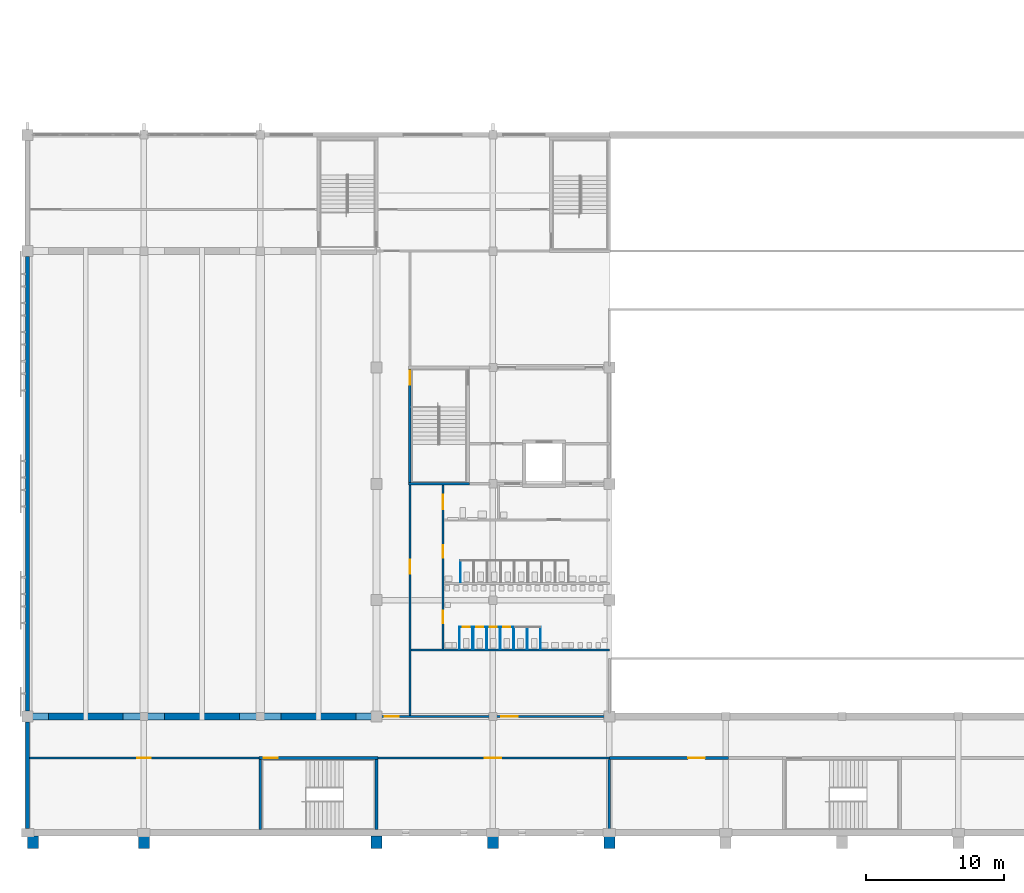
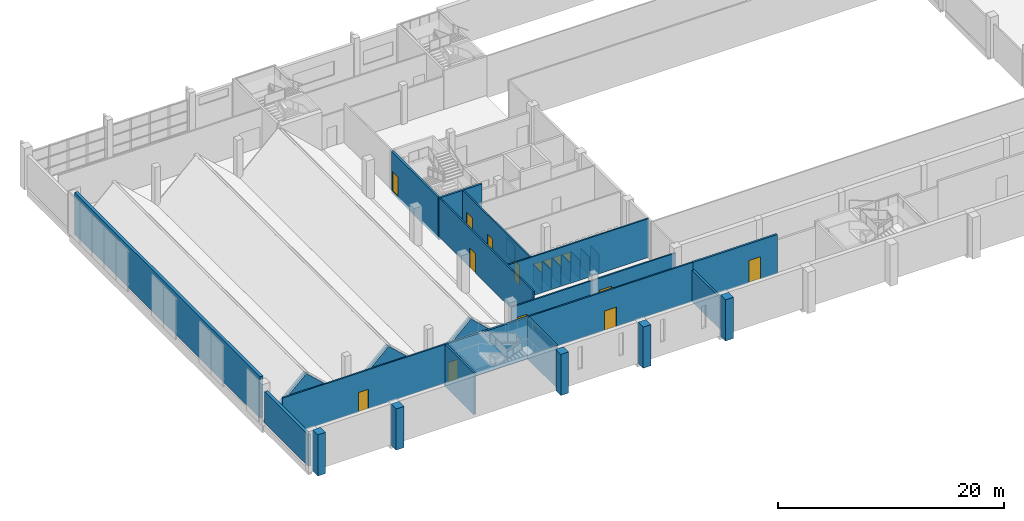
# One storey, part 17 of 56: 38 walls, 15 doors, 15 openings.
"""IFC4 building model written with IfcOpenShell, lengths in metres."""

from ifc_helpers import new_model, si_unit, direction, frame, frame_2d, origin, place, context, subcontext, project, spatial, polyline, rectangle, outline, extrude, material, layer, layer_set, type_object, element, fill, save


model = new_model("IFC4")

# Units and contexts
model_context = context("Model", 3, precision=1e-05, world=origin(), true_north=direction((0.0, 1.0)))
body_context = subcontext(model_context, "Body", "Model", "MODEL_VIEW")
ifc_project = project(units=[si_unit("LENGTHUNIT", "METRE"), si_unit("AREAUNIT", "SQUARE_METRE"), si_unit("VOLUMEUNIT", "CUBIC_METRE"), si_unit("PLANEANGLEUNIT", "RADIAN"), si_unit("MASSUNIT", "GRAM", prefix="KILO")], contexts=[model_context])

# Site, building, storey
site_placement = place(None, origin())
site = spatial("IfcSite", under=ifc_project, at=site_placement, CompositionType="ELEMENT")
building_placement = place(site_placement, origin())
building = spatial("IfcBuilding", under=site, at=building_placement, Name="Rulbaag Community and Learning Centre", CompositionType="ELEMENT")
storey_placement = place(building_placement, frame((0.0, 0.0, 9.89990234375)))
storey = spatial("IfcBuildingStorey", under=building, at=storey_placement, Name="L02", CompositionType="ELEMENT", Elevation=9.89990234375)

# Walls
ifc_material_1 = material(Name="High pressure laminate", Category="wood")
ifc_layer_1 = layer(ifc_material_1, 0.0400390625)
ifc_layer_set_1 = layer_set([ifc_layer_1], Name="CP-40")
wall_type_1 = type_object("IfcWallType", Name="CP-40", PredefinedType="PARTITIONING", material=ifc_layer_set_1)
for number, where, z_axis, x_axis, name in (
    (1, (31.199951171875, 13.27490234375, 0.0), (0.0, 0.0, 1.0), (0.0, 1.0, 0.0), "Cubicle partition"),
    (2, (32.139892578125, 13.27490234375, 0.0), (0.0, 0.0, 1.0), (0.0, 1.0, 0.0), "Cubicle partition"),
):
    element("IfcWall", number, at=place(storey_placement, frame(where, z_axis=z_axis, x_axis=x_axis)), inside=storey, type_object=wall_type_1, Name=name, PredefinedType="PARTITIONING", context=body_context, shape_type="SweptSolid", body=[
        extrude(rectangle(XDim=1.59521484375, YDim=0.0400390625, at=frame_2d((0.797607421875, 0.0))), origin(), (0.0, 0.0, 1.0), 2.0),
    ])

# Wall, opening, door
wall_1_placement = place(storey_placement, frame((31.219970703125, 14.85009765625, 0.0), z_axis=(0.0, 0.0, 1.0), x_axis=(1.0, 0.0, 0.0)))
wall_1 = element("IfcWall", 3, at=wall_1_placement, inside=storey, type_object=wall_type_1, Name="Cubicle partition", PredefinedType="PARTITIONING", context=body_context, shape_type="SweptSolid", body=[
    extrude(rectangle(XDim=0.900146484375, YDim=0.0400390625, at=frame_2d((0.4501953125, 0.0))), origin(), (0.0, 0.0, 1.0), 2.0),
])
opening_1_placement = place(wall_1_placement, frame((0.050048828125, 0.0, 0.0)))
opening_1 = element("IfcOpeningElement", 4, at=opening_1_placement, cuts=wall_1, Name="Opening L02-D015", PredefinedType="OPENING", context=body_context, shape_type="SweptSolid", body=[
    extrude(rectangle(XDim=0.800048828125, YDim=2.0, at=frame_2d((0.39990234375, 1.0))), frame((0.0, 0.030029296875, 0.0), z_axis=(0.0, -1.0, 0.0), x_axis=(1.0, 0.0, 0.0)), (0.0, 0.0, 1.0), 0.06005859375),
])
door_type_1 = type_object("IfcDoorType", Name="DC-80", OperationType="SINGLE_SWING_LEFT", PredefinedType="DOOR", material=ifc_material_1)
door_1_placement = place(opening_1_placement, origin())
door_1 = element("IfcDoor", 5, at=door_1_placement, inside=storey, type_object=door_type_1, Name="Cubicle door", OperationType="SINGLE_SWING_LEFT", OverallHeight=2.0, OverallWidth=0.800048828125, PredefinedType="DOOR", context=body_context, shape_type="SweptSolid", body=[
    extrude(rectangle(XDim=0.800048828125, YDim=2.0, at=frame_2d((0.39990234375, 1.0))), frame((0.0, 0.019775390625, 0.0), z_axis=(0.0, -1.0, 0.0), x_axis=(1.0, 0.0, 0.0)), (0.0, 0.0, 1.0), 0.03955078125),
])
fill(opening_1, door_1)

# Walls
for number, where, z_axis, x_axis, name in (
    (6, (32.179931640625, 13.27490234375, 0.0), (0.0, 0.0, 1.0), (0.0, 1.0, 0.0), "Cubicle partition"),
    (7, (33.1201171875, 13.27490234375, 0.0), (0.0, 0.0, 1.0), (0.0, 1.0, 0.0), "Cubicle partition"),
):
    element("IfcWall", number, at=place(storey_placement, frame(where, z_axis=z_axis, x_axis=x_axis)), inside=storey, type_object=wall_type_1, Name=name, PredefinedType="PARTITIONING", context=body_context, shape_type="SweptSolid", body=[
        extrude(rectangle(XDim=1.59521484375, YDim=0.0400390625, at=frame_2d((0.797607421875, 0.0))), origin(), (0.0, 0.0, 1.0), 2.0),
    ])

# Wall, opening, door
wall_2_placement = place(storey_placement, frame((32.199951171875, 14.85009765625, 0.0), z_axis=(0.0, 0.0, 1.0), x_axis=(1.0, 0.0, 0.0)))
wall_2 = element("IfcWall", 8, at=wall_2_placement, inside=storey, type_object=wall_type_1, Name="Cubicle partition", PredefinedType="PARTITIONING", context=body_context, shape_type="SweptSolid", body=[
    extrude(rectangle(XDim=0.900146484375, YDim=0.0400390625, at=frame_2d((0.4501953125, 0.0))), origin(), (0.0, 0.0, 1.0), 2.0),
])
opening_2_placement = place(wall_2_placement, frame((0.050048828125, 0.0, 0.0)))
opening_2 = element("IfcOpeningElement", 9, at=opening_2_placement, cuts=wall_2, Name="Opening L02-D018", PredefinedType="OPENING", context=body_context, shape_type="SweptSolid", body=[
    extrude(rectangle(XDim=0.800048828125, YDim=2.0, at=frame_2d((0.39990234375, 1.0))), frame((0.0, 0.030029296875, 0.0), z_axis=(0.0, -1.0, 0.0), x_axis=(1.0, 0.0, 0.0)), (0.0, 0.0, 1.0), 0.06005859375),
])
door_2_placement = place(opening_2_placement, origin())
door_2 = element("IfcDoor", 10, at=door_2_placement, inside=storey, type_object=door_type_1, Name="Cubicle door", OperationType="SINGLE_SWING_LEFT", OverallHeight=2.0, OverallWidth=0.800048828125, PredefinedType="DOOR", context=body_context, shape_type="SweptSolid", body=[
    extrude(rectangle(XDim=0.800048828125, YDim=2.0, at=frame_2d((0.39990234375, 1.0))), frame((0.0, 0.019775390625, 0.0), z_axis=(0.0, -1.0, 0.0), x_axis=(1.0, 0.0, 0.0)), (0.0, 0.0, 1.0), 0.03955078125),
])
fill(opening_2, door_2)

# Walls
for number, where, z_axis, x_axis, name in (
    (11, (33.159912109375, 13.27490234375, 0.0), (0.0, 0.0, 1.0), (0.0, 1.0, 0.0), "Cubicle partition"),
    (12, (34.10009765625, 13.27490234375, 0.0), (0.0, 0.0, 1.0), (0.0, 1.0, 0.0), "Cubicle partition"),
):
    element("IfcWall", number, at=place(storey_placement, frame(where, z_axis=z_axis, x_axis=x_axis)), inside=storey, type_object=wall_type_1, Name=name, PredefinedType="PARTITIONING", context=body_context, shape_type="SweptSolid", body=[
        extrude(rectangle(XDim=1.59521484375, YDim=0.0400390625, at=frame_2d((0.797607421875, 0.0))), origin(), (0.0, 0.0, 1.0), 2.0),
    ])

# Wall, opening, door
wall_3_placement = place(storey_placement, frame((33.179931640625, 14.85009765625, 0.0), z_axis=(0.0, 0.0, 1.0), x_axis=(1.0, 0.0, 0.0)))
wall_3 = element("IfcWall", 13, at=wall_3_placement, inside=storey, type_object=wall_type_1, Name="Cubicle partition", PredefinedType="PARTITIONING", context=body_context, shape_type="SweptSolid", body=[
    extrude(rectangle(XDim=0.900146484375, YDim=0.0400390625, at=frame_2d((0.4501953125, 0.0))), origin(), (0.0, 0.0, 1.0), 2.0),
])
opening_3_placement = place(wall_3_placement, frame((0.050048828125, 0.0, 0.0)))
opening_3 = element("IfcOpeningElement", 14, at=opening_3_placement, cuts=wall_3, Name="Opening L02-D021", PredefinedType="OPENING", context=body_context, shape_type="SweptSolid", body=[
    extrude(rectangle(XDim=0.800048828125, YDim=2.0, at=frame_2d((0.39990234375, 1.0))), frame((0.0, 0.030029296875, 0.0), z_axis=(0.0, -1.0, 0.0), x_axis=(1.0, 0.0, 0.0)), (0.0, 0.0, 1.0), 0.06005859375),
])
door_3_placement = place(opening_3_placement, origin())
door_3 = element("IfcDoor", 15, at=door_3_placement, inside=storey, type_object=door_type_1, Name="Cubicle door", OperationType="SINGLE_SWING_LEFT", OverallHeight=2.0, OverallWidth=0.800048828125, PredefinedType="DOOR", context=body_context, shape_type="SweptSolid", body=[
    extrude(rectangle(XDim=0.800048828125, YDim=2.0, at=frame_2d((0.39990234375, 1.0))), frame((0.0, 0.019775390625, 0.0), z_axis=(0.0, -1.0, 0.0), x_axis=(1.0, 0.0, 0.0)), (0.0, 0.0, 1.0), 0.03955078125),
])
fill(opening_3, door_3)

# Walls
for number, where, z_axis, x_axis, name in (
    (16, (34.139892578125, 13.27490234375, 0.0), (0.0, 0.0, 1.0), (0.0, 1.0, 0.0), "Cubicle partition"),
    (17, (35.080078125, 13.27490234375, 0.0), (0.0, 0.0, 1.0), (0.0, 1.0, 0.0), "Cubicle partition"),
):
    element("IfcWall", number, at=place(storey_placement, frame(where, z_axis=z_axis, x_axis=x_axis)), inside=storey, type_object=wall_type_1, Name=name, PredefinedType="PARTITIONING", context=body_context, shape_type="SweptSolid", body=[
        extrude(rectangle(XDim=1.59521484375, YDim=0.0400390625, at=frame_2d((0.797607421875, 0.0))), origin(), (0.0, 0.0, 1.0), 2.0),
    ])

# Wall, opening, door
wall_4_placement = place(storey_placement, frame((34.159912109375, 14.85009765625, 0.0), z_axis=(0.0, 0.0, 1.0), x_axis=(1.0, 0.0, 0.0)))
wall_4 = element("IfcWall", 18, at=wall_4_placement, inside=storey, type_object=wall_type_1, Name="Cubicle partition", PredefinedType="PARTITIONING", context=body_context, shape_type="SweptSolid", body=[
    extrude(rectangle(XDim=0.900146484375, YDim=0.0400390625, at=frame_2d((0.4501953125, 0.0))), origin(), (0.0, 0.0, 1.0), 2.0),
])
opening_4_placement = place(wall_4_placement, frame((0.050048828125, 0.0, 0.0)))
opening_4 = element("IfcOpeningElement", 19, at=opening_4_placement, cuts=wall_4, Name="Opening L02-D025", PredefinedType="OPENING", context=body_context, shape_type="SweptSolid", body=[
    extrude(rectangle(XDim=0.800048828125, YDim=2.0, at=frame_2d((0.39990234375, 1.0))), frame((0.0, 0.030029296875, 0.0), z_axis=(0.0, -1.0, 0.0), x_axis=(1.0, 0.0, 0.0)), (0.0, 0.0, 1.0), 0.06005859375),
])
door_4_placement = place(opening_4_placement, origin())
door_4 = element("IfcDoor", 20, at=door_4_placement, inside=storey, type_object=door_type_1, Name="Cubicle door", OperationType="SINGLE_SWING_LEFT", OverallHeight=2.0, OverallWidth=0.800048828125, PredefinedType="DOOR", context=body_context, shape_type="SweptSolid", body=[
    extrude(rectangle(XDim=0.800048828125, YDim=2.0, at=frame_2d((0.39990234375, 1.0))), frame((0.0, 0.019775390625, 0.0), z_axis=(0.0, -1.0, 0.0), x_axis=(1.0, 0.0, 0.0)), (0.0, 0.0, 1.0), 0.03955078125),
])
fill(opening_4, door_4)

# Walls
for number, where, z_axis, x_axis, name in (
    (21, (35.1201171875, 13.27490234375, 0.0), (0.0, 0.0, 1.0), (0.0, 1.0, 0.0), "Cubicle partition"),
    (22, (36.06005859375, 13.27490234375, 0.0), (0.0, 0.0, 1.0), (0.0, 1.0, 0.0), "Cubicle partition"),
    (23, (36.10009765625, 13.27490234375, 0.0), (0.0, 0.0, 1.0), (0.0, 1.0, 0.0), "Cubicle partition"),
    (24, (37.0400390625, 13.27490234375, 0.0), (0.0, 0.0, 1.0), (0.0, 1.0, 0.0), "Cubicle partition"),
):
    element("IfcWall", number, at=place(storey_placement, frame(where, z_axis=z_axis, x_axis=x_axis)), inside=storey, type_object=wall_type_1, Name=name, PredefinedType="PARTITIONING", context=body_context, shape_type="SweptSolid", body=[
        extrude(rectangle(XDim=1.59521484375, YDim=0.0400390625, at=frame_2d((0.797607421875, 0.0))), origin(), (0.0, 0.0, 1.0), 2.0),
    ])
wall_5_placement = place(storey_placement, frame((31.25, 18.074951171875, 0.0), z_axis=(0.0, 0.0, 1.0), x_axis=(0.0, 1.0, 0.0)))
element("IfcWall", 25, at=wall_5_placement, inside=storey, type_object=wall_type_1, Name="Cubicle partition", PredefinedType="PARTITIONING", context=body_context, shape_type="SweptSolid", body=[
    extrude(rectangle(XDim=1.594970703125, YDim=0.0400390625, at=frame_2d((0.79736328125, 0.0))), origin(), (0.0, 0.0, 1.0), 2.0),
])
ifc_material_2 = material(Name="Concrete M40", Category="concrete")
ifc_layer_2 = layer(ifc_material_2, 0.800048828125)
ifc_layer_set_2 = layer_set([ifc_layer_2], Name="EW-BTR")
wall_type_2 = type_object("IfcWallType", Name="EW-BTR", PredefinedType="SOLIDWALL", material=ifc_layer_set_2)
for number, where, z_axis, x_axis, name in (
    (26, (0.39990234375, -0.22509765625, -0.25), (0.0, 0.0, 1.0), (0.0, -1.0, 0.0), "Buttress pier"),
    (27, (8.39990234375, -0.22509765625, -0.25), (0.0, 0.0, 1.0), (0.0, -1.0, 0.0), "Buttress pier"),
    (28, (25.199951171875, -0.22509765625, -0.25), (0.0, 0.0, 1.0), (0.0, -1.0, 0.0), "Buttress pier"),
    (29, (33.60009765625, -0.22509765625, -0.25), (0.0, 0.0, 1.0), (0.0, -1.0, 0.0), "Buttress pier"),
    (30, (42.0, -0.22509765625, -0.25), (0.0, 0.0, 1.0), (0.0, -1.0, 0.0), "Buttress pier"),
):
    element("IfcWall", number, at=place(storey_placement, frame(where, z_axis=z_axis, x_axis=x_axis)), inside=storey, type_object=wall_type_2, Name=name, PredefinedType="SOLIDWALL", context=body_context, shape_type="SweptSolid", body=[
        extrude(rectangle(XDim=0.89990234375, YDim=0.800048828125, at=frame_2d((0.449951171875, 0.0))), origin(), (0.0, 0.0, 1.0), 4.4501953125),
    ])
ifc_layer_3 = layer(ifc_material_2, 0.300048828125)
ifc_layer_set_3 = layer_set([ifc_layer_3], Name="EW-CONC300")
wall_type_3 = type_object("IfcWallType", Name="EW-CONC300", PredefinedType="STANDARD", material=ifc_layer_set_3)
wall_6_placement = place(storey_placement, frame((0.0, 0.300048828125, 0.0), z_axis=(0.0, 0.0, 1.0), x_axis=(0.0, 1.0, 0.0)))
element("IfcWall", 31, at=wall_6_placement, inside=storey, type_object=wall_type_3, Name="Board-marked concrete cladding wall AW", PredefinedType="STANDARD", context=body_context, shape_type="SweptSolid", body=[
    extrude(rectangle(XDim=7.699951171875, YDim=0.300048828125, at=frame_2d((3.85009765625, 0.0))), origin(), (0.0, 0.0, 1.0), 3.400146484375),
])
wall_7_placement = place(storey_placement, frame((0.0, 8.800048828125, 0.0), z_axis=(0.0, 0.0, 1.0), x_axis=(0.0, 1.0, 0.0)))
element("IfcWall", 32, at=wall_7_placement, inside=storey, type_object=wall_type_3, Name="Board-marked concrete cladding wall AW", PredefinedType="STANDARD", context=body_context, shape_type="SweptSolid", body=[
    extrude(rectangle(XDim=32.800048828125, YDim=0.300048828125, at=frame_2d((16.39990234375, 0.0))), origin(), (0.0, 0.0, 1.0), 4.5),
])

# Wall, opening, door
ifc_material_3 = material(Name="Concrete blockwork", Category="masonry")
ifc_layer_4 = layer(ifc_material_3, 0.199951171875)
ifc_layer_set_4 = layer_set([ifc_layer_4], Name="FW-200 FIRE WALL 200")
wall_type_4 = type_object("IfcWallType", Name="FW-200 FIRE WALL 200", PredefinedType="SOLIDWALL", material=ifc_layer_set_4)
wall_8_placement = place(storey_placement, frame((42.0, 5.39990234375, 0.0), z_axis=(0.0, 0.0, 1.0), x_axis=(1.0, 0.0, 0.0)))
wall_8 = element("IfcWall", 33, at=wall_8_placement, inside=storey, type_object=wall_type_4, Name="Fire wall L02 3", PredefinedType="SOLIDWALL", context=body_context, shape_type="SweptSolid", body=[
    extrude(rectangle(XDim=8.60009765625, YDim=0.199951171875, at=frame_2d((4.300048828125, 0.0))), origin(), (0.0, 0.0, 1.0), 4.2001953125),
])
opening_5_placement = place(wall_8_placement, frame((5.699951171875, 0.0, 0.0)))
opening_5 = element("IfcOpeningElement", 34, at=opening_5_placement, cuts=wall_8, Name="Opening L02-D041", PredefinedType="OPENING", context=body_context, shape_type="SweptSolid", body=[
    extrude(rectangle(XDim=1.199951171875, YDim=2.39990234375, at=frame_2d((0.60009765625, 1.199951171875))), frame((0.0, 0.10986328125, 0.0), z_axis=(0.0, -1.0, 0.0), x_axis=(1.0, 0.0, 0.0)), (0.0, 0.0, 1.0), 0.219970703125),
])
ifc_material_4 = material(Name="Galvanised steel", Category="steel")
door_type_2 = type_object("IfcDoorType", Name="DP-1200 PLANT ROOM DOOR 1200 x 2400", OperationType="SINGLE_SWING_LEFT", PredefinedType="DOOR", material=ifc_material_4)
door_5_placement = place(opening_5_placement, origin())
door_5 = element("IfcDoor", 35, at=door_5_placement, inside=storey, type_object=door_type_2, Name="Door L02-D041", OperationType="SINGLE_SWING_RIGHT", OverallHeight=2.39990234375, OverallWidth=1.199951171875, PredefinedType="DOOR", context=body_context, shape_type="SweptSolid", body=[
    extrude(rectangle(XDim=1.199951171875, YDim=2.39990234375, at=frame_2d((0.60009765625, 1.199951171875))), frame((0.0, 0.02490234375, 0.0), z_axis=(0.0, -1.0, 0.0), x_axis=(1.0, 0.0, 0.0)), (0.0, 0.0, 1.0), 0.050048828125),
])
fill(opening_5, door_5)

# Wall
wall_9_placement = place(storey_placement, frame((42.0, 0.22509765625, 0.0), z_axis=(0.0, 0.0, 1.0), x_axis=(0.0, 1.0, 0.0)))
element("IfcWall", 36, at=wall_9_placement, inside=storey, type_object=wall_type_4, Name="Fire wall L02 55", PredefinedType="SOLIDWALL", context=body_context, shape_type="SweptSolid", body=[
    extrude(rectangle(XDim=5.074951171875, YDim=0.199951171875, at=frame_2d((2.53759765625, 0.0))), origin(), (0.0, 0.0, 1.0), 3.400146484375),
])

# Wall, opening, door
ifc_layer_5 = layer(ifc_material_3, 0.14990234375)
ifc_layer_set_5 = layer_set([ifc_layer_5], Name="IP-150 PARTITION 150")
wall_type_5 = type_object("IfcWallType", Name="IP-150 PARTITION 150", PredefinedType="PARTITIONING", material=ifc_layer_set_5)
wall_10_placement = place(storey_placement, frame((0.14990234375, 5.39990234375, 0.0), z_axis=(0.0, 0.0, 1.0), x_axis=(1.0, 0.0, 0.0)))
wall_10 = element("IfcWall", 37, at=wall_10_placement, inside=storey, type_object=wall_type_5, Name="Partition L02 1", PredefinedType="PARTITIONING", context=body_context, shape_type="SweptSolid", body=[
    extrude(rectangle(XDim=16.550048828125, YDim=0.14990234375, at=frame_2d((8.27490234375, 0.0))), origin(), (0.0, 0.0, 1.0), 4.2001953125),
])
opening_6_placement = place(wall_10_placement, frame((7.75, 0.0, 0.0)))
opening_6 = element("IfcOpeningElement", 38, at=opening_6_placement, cuts=wall_10, Name="Opening L02-D002", PredefinedType="OPENING", context=body_context, shape_type="SweptSolid", body=[
    extrude(rectangle(XDim=1.0, YDim=2.10009765625, at=frame_2d((0.5, 1.050048828125))), frame((0.0, 0.0849609375, 0.0), z_axis=(0.0, -1.0, 0.0), x_axis=(1.0, 0.0, 0.0)), (0.0, 0.0, 1.0), 0.169921875),
])
ifc_material_5 = material(Name="Timber", Category="wood")
door_type_3 = type_object("IfcDoorType", Name="D-1000 DOOR 1000 x 2100", OperationType="SINGLE_SWING_LEFT", PredefinedType="DOOR", material=ifc_material_5)
door_6_placement = place(opening_6_placement, origin())
door_6 = element("IfcDoor", 39, at=door_6_placement, inside=storey, type_object=door_type_3, Name="Door L02-D002", OperationType="SINGLE_SWING_LEFT", OverallHeight=2.10009765625, OverallWidth=1.0, PredefinedType="DOOR", context=body_context, shape_type="SweptSolid", body=[
    extrude(rectangle(XDim=1.0, YDim=2.10009765625, at=frame_2d((0.5, 1.050048828125))), frame((0.0, 0.02490234375, 0.0), z_axis=(0.0, -1.0, 0.0), x_axis=(1.0, 0.0, 0.0)), (0.0, 0.0, 1.0), 0.050048828125),
])
fill(opening_6, door_6)

wall_11_placement = place(storey_placement, frame((25.300048828125, 5.39990234375, 0.0), z_axis=(0.0, 0.0, 1.0), x_axis=(1.0, 0.0, 0.0)))
wall_11 = element("IfcWall", 40, at=wall_11_placement, inside=storey, type_object=wall_type_5, Name="Partition L02 2", PredefinedType="PARTITIONING", context=body_context, shape_type="SweptSolid", body=[
    extrude(rectangle(XDim=16.699951171875, YDim=0.14990234375, at=frame_2d((8.35009765625, 0.0))), origin(), (0.0, 0.0, 1.0), 4.2001953125),
])
opening_7_placement = place(wall_11_placement, frame((7.699951171875, 0.0, 0.0)))
opening_7 = element("IfcOpeningElement", 41, at=opening_7_placement, cuts=wall_11, Name="Opening L02-D020", PredefinedType="OPENING", context=body_context, shape_type="SweptSolid", body=[
    extrude(rectangle(XDim=1.199951171875, YDim=2.10009765625, at=frame_2d((0.60009765625, 1.050048828125))), frame((0.0, 0.0849609375, 0.0), z_axis=(0.0, -1.0, 0.0), x_axis=(1.0, 0.0, 0.0)), (0.0, 0.0, 1.0), 0.169921875),
])
door_type_4 = type_object("IfcDoorType", Name="DC-1200 CLASSROOM DOOR 1200 x 2100", OperationType="SINGLE_SWING_LEFT", PredefinedType="DOOR", material=ifc_material_5)
door_7_placement = place(opening_7_placement, origin())
door_7 = element("IfcDoor", 42, at=door_7_placement, inside=storey, type_object=door_type_4, Name="Door L02-D020", OperationType="SINGLE_SWING_LEFT", OverallHeight=2.10009765625, OverallWidth=1.199951171875, PredefinedType="DOOR", context=body_context, shape_type="SweptSolid", body=[
    extrude(rectangle(XDim=1.199951171875, YDim=2.10009765625, at=frame_2d((0.60009765625, 1.050048828125))), frame((0.0, 0.02490234375, 0.0), z_axis=(0.0, -1.0, 0.0), x_axis=(1.0, 0.0, 0.0)), (0.0, 0.0, 1.0), 0.050048828125),
])
fill(opening_7, door_7)

# Wall, openings, doors
wall_12_placement = place(storey_placement, frame((25.199951171875, 8.39990234375, 0.0), z_axis=(0.0, 0.0, 1.0), x_axis=(1.0, 0.0, 0.0)))
wall_12 = element("IfcWall", 43, at=wall_12_placement, inside=storey, type_object=wall_type_5, Name="Partition L02 7", PredefinedType="PARTITIONING", context=body_context, shape_type="SweptSolid", body=[
    extrude(rectangle(XDim=16.800048828125, YDim=0.14990234375, at=frame_2d((8.39990234375, 0.0))), origin(), (0.0, 0.0, 1.0), 3.400146484375),
])
opening_8_placement = place(wall_12_placement, frame((9.0, 0.0, 0.0)))
opening_8 = element("IfcOpeningElement", 44, at=opening_8_placement, cuts=wall_12, Name="Opening L02-D027", PredefinedType="OPENING", context=body_context, shape_type="SweptSolid", body=[
    extrude(rectangle(XDim=1.199951171875, YDim=2.10009765625, at=frame_2d((0.60009765625, 1.050048828125))), frame((0.0, 0.0849609375, 0.0), z_axis=(0.0, -1.0, 0.0), x_axis=(1.0, 0.0, 0.0)), (0.0, 0.0, 1.0), 0.169921875),
])
opening_9_placement = place(wall_12_placement, frame((0.60009765625, 0.0, 0.0)))
opening_9 = element("IfcOpeningElement", 45, at=opening_9_placement, cuts=wall_12, Name="Opening L02-D008", PredefinedType="OPENING", context=body_context, shape_type="SweptSolid", body=[
    extrude(rectangle(XDim=1.0, YDim=2.10009765625, at=frame_2d((0.5, 1.050048828125))), frame((0.0, 0.0849609375, 0.0), z_axis=(0.0, -1.0, 0.0), x_axis=(1.0, 0.0, 0.0)), (0.0, 0.0, 1.0), 0.169921875),
])
door_8_placement = place(opening_9_placement, origin())
door_8 = element("IfcDoor", 46, at=door_8_placement, inside=storey, type_object=door_type_3, Name="Door L02-D008", OperationType="SINGLE_SWING_RIGHT", OverallHeight=2.10009765625, OverallWidth=1.0, PredefinedType="DOOR", context=body_context, shape_type="SweptSolid", body=[
    extrude(rectangle(XDim=1.0, YDim=2.10009765625, at=frame_2d((0.5, 1.050048828125))), frame((0.0, 0.02490234375, 0.0), z_axis=(0.0, -1.0, 0.0), x_axis=(1.0, 0.0, 0.0)), (0.0, 0.0, 1.0), 0.050048828125),
])
fill(opening_9, door_8)
door_9_placement = place(opening_8_placement, origin())
door_9 = element("IfcDoor", 47, at=door_9_placement, inside=storey, type_object=door_type_4, Name="Door L02-D027", OperationType="SINGLE_SWING_LEFT", OverallHeight=2.10009765625, OverallWidth=1.199951171875, PredefinedType="DOOR", context=body_context, shape_type="SweptSolid", body=[
    extrude(rectangle(XDim=1.199951171875, YDim=2.10009765625, at=frame_2d((0.60009765625, 1.050048828125))), frame((0.0, 0.02490234375, 0.0), z_axis=(0.0, -1.0, 0.0), x_axis=(1.0, 0.0, 0.0)), (0.0, 0.0, 1.0), 0.050048828125),
])
fill(opening_8, door_9)

# Wall
wall_13_placement = place(storey_placement, frame((27.675048828125, 13.199951171875, 0.0), z_axis=(0.0, 0.0, 1.0), x_axis=(1.0, 0.0, 0.0)))
element("IfcWall", 48, at=wall_13_placement, inside=storey, type_object=wall_type_5, Name="Partition L02 9", PredefinedType="PARTITIONING", context=body_context, shape_type="SweptSolid", body=[
    extrude(rectangle(XDim=14.324951171875, YDim=0.14990234375, at=frame_2d((7.16259765625, 0.0))), origin(), (0.0, 0.0, 1.0), 4.2001953125),
])

# Wall, opening, door
wall_14_placement = place(storey_placement, frame((27.60009765625, 8.47509765625, 0.0), z_axis=(0.0, 0.0, 1.0), x_axis=(0.0, 1.0, 0.0)))
wall_14 = element("IfcWall", 49, at=wall_14_placement, inside=storey, type_object=wall_type_5, Name="Partition L02 50", PredefinedType="PARTITIONING", context=body_context, shape_type="SweptSolid", body=[
    extrude(rectangle(XDim=16.824951171875, YDim=0.14990234375, at=frame_2d((8.41259765625, 0.0))), origin(), (0.0, 0.0, 1.0), 4.2001953125),
])
opening_10_placement = place(wall_14_placement, frame((10.22509765625, 0.0, 0.0)))
opening_10 = element("IfcOpeningElement", 50, at=opening_10_placement, cuts=wall_14, Name="Opening L02-D010", PredefinedType="OPENING", context=body_context, shape_type="SweptSolid", body=[
    extrude(rectangle(XDim=1.0, YDim=2.10009765625, at=frame_2d((0.5, 1.050048828125))), frame((0.0, 0.0849609375, 0.0), z_axis=(0.0, -1.0, 0.0), x_axis=(1.0, 0.0, 0.0)), (0.0, 0.0, 1.0), 0.169921875),
])
door_10_placement = place(opening_10_placement, origin())
door_10 = element("IfcDoor", 51, at=door_10_placement, inside=storey, type_object=door_type_3, Name="Door L02-D010", OperationType="SINGLE_SWING_LEFT", OverallHeight=2.10009765625, OverallWidth=1.0, PredefinedType="DOOR", context=body_context, shape_type="SweptSolid", body=[
    extrude(rectangle(XDim=1.0, YDim=2.10009765625, at=frame_2d((0.5, 1.050048828125))), frame((0.0, 0.02490234375, 0.0), z_axis=(0.0, -1.0, 0.0), x_axis=(1.0, 0.0, 0.0)), (0.0, 0.0, 1.0), 0.050048828125),
])
fill(opening_10, door_10)

# Wall, openings, doors
wall_15_placement = place(storey_placement, frame((30.0, 13.27490234375, 0.0), z_axis=(0.0, 0.0, 1.0), x_axis=(0.0, 1.0, 0.0)))
wall_15 = element("IfcWall", 52, at=wall_15_placement, inside=storey, type_object=wall_type_5, Name="Partition L02 52", PredefinedType="PARTITIONING", context=body_context, shape_type="SweptSolid", body=[
    extrude(rectangle(XDim=11.8251953125, YDim=0.14990234375, at=frame_2d((5.91259765625, 0.0))), origin(), (0.0, 0.0, 1.0), 4.2001953125),
])
opening_11_placement = place(wall_15_placement, frame((1.875, 0.0, 0.0)))
opening_11 = element("IfcOpeningElement", 53, at=opening_11_placement, cuts=wall_15, Name="Opening L02-D012", PredefinedType="OPENING", context=body_context, shape_type="SweptSolid", body=[
    extrude(rectangle(XDim=0.89990234375, YDim=2.10009765625, at=frame_2d((0.449951171875, 1.050048828125))), frame((0.0, 0.0849609375, 0.0), z_axis=(0.0, -1.0, 0.0), x_axis=(1.0, 0.0, 0.0)), (0.0, 0.0, 1.0), 0.169921875),
])
opening_12_placement = place(wall_15_placement, frame((6.574951171875, 0.0, 0.0)))
opening_12 = element("IfcOpeningElement", 54, at=opening_12_placement, cuts=wall_15, Name="Opening L02-D013", PredefinedType="OPENING", context=body_context, shape_type="SweptSolid", body=[
    extrude(rectangle(XDim=0.89990234375, YDim=2.10009765625, at=frame_2d((0.449951171875, 1.050048828125))), frame((0.0, 0.0849609375, 0.0), z_axis=(0.0, -1.0, 0.0), x_axis=(1.0, 0.0, 0.0)), (0.0, 0.0, 1.0), 0.169921875),
])
opening_13_placement = place(wall_15_placement, frame((10.10009765625, 0.0, 0.0)))
opening_13 = element("IfcOpeningElement", 55, at=opening_13_placement, cuts=wall_15, Name="Opening L02-D014", PredefinedType="OPENING", context=body_context, shape_type="SweptSolid", body=[
    extrude(rectangle(XDim=1.050048828125, YDim=2.25, at=frame_2d((0.52490234375, 1.125))), frame((0.0, 0.0849609375, 0.0), z_axis=(0.0, -1.0, 0.0), x_axis=(1.0, 0.0, 0.0)), (0.0, 0.0, 1.0), 0.169921875),
])
door_type_5 = type_object("IfcDoorType", Name="D-1050 ACCESSIBLE TOILET DOOR 1050 x 2250", OperationType="SINGLE_SWING_LEFT", PredefinedType="DOOR", material=ifc_material_5)
door_11_placement = place(opening_13_placement, origin())
door_11 = element("IfcDoor", 56, at=door_11_placement, inside=storey, type_object=door_type_5, Name="Door L02-D014", OperationType="SINGLE_SWING_RIGHT", OverallHeight=2.25, OverallWidth=1.050048828125, PredefinedType="DOOR", context=body_context, shape_type="SweptSolid", body=[
    extrude(rectangle(XDim=1.050048828125, YDim=2.25, at=frame_2d((0.52490234375, 1.125))), frame((0.0, 0.02490234375, 0.0), z_axis=(0.0, -1.0, 0.0), x_axis=(1.0, 0.0, 0.0)), (0.0, 0.0, 1.0), 0.050048828125),
])
fill(opening_13, door_11)
door_type_6 = type_object("IfcDoorType", Name="DW-900 TOILET DOOR 900 x 2100", OperationType="SINGLE_SWING_LEFT", PredefinedType="DOOR", material=ifc_material_5)
door_12_placement = place(opening_11_placement, origin())
door_12 = element("IfcDoor", 57, at=door_12_placement, inside=storey, type_object=door_type_6, Name="Door L02-D012", OperationType="SINGLE_SWING_LEFT", OverallHeight=2.10009765625, OverallWidth=0.89990234375, PredefinedType="DOOR", context=body_context, shape_type="SweptSolid", body=[
    extrude(rectangle(XDim=0.89990234375, YDim=2.10009765625, at=frame_2d((0.449951171875, 1.050048828125))), frame((0.0, 0.02490234375, 0.0), z_axis=(0.0, -1.0, 0.0), x_axis=(1.0, 0.0, 0.0)), (0.0, 0.0, 1.0), 0.050048828125),
])
fill(opening_11, door_12)
door_13_placement = place(opening_12_placement, origin())
door_13 = element("IfcDoor", 58, at=door_13_placement, inside=storey, type_object=door_type_6, Name="Door L02-D013", OperationType="SINGLE_SWING_RIGHT", OverallHeight=2.10009765625, OverallWidth=0.89990234375, PredefinedType="DOOR", context=body_context, shape_type="SweptSolid", body=[
    extrude(rectangle(XDim=0.89990234375, YDim=2.10009765625, at=frame_2d((0.449951171875, 1.050048828125))), frame((0.0, 0.02490234375, 0.0), z_axis=(0.0, -1.0, 0.0), x_axis=(1.0, 0.0, 0.0)), (0.0, 0.0, 1.0), 0.050048828125),
])
fill(opening_12, door_13)

# Walls
ifc_layer_6 = layer(ifc_material_2, 0.5)
ifc_layer_set_6 = layer_set([ifc_layer_6], Name="W13 Shear wall 500 Concrete M40")
wall_type_6 = type_object("IfcWallType", Name="W13 Shear wall 500 Concrete M40", PredefinedType="SHEAR", material=ifc_layer_set_6)
wall_16_placement = place(storey_placement, frame((0.0, 8.39990234375, -0.25), z_axis=(0.0, 0.0, 1.0), x_axis=(1.0, 0.0, 0.0)))
element("IfcWall", 59, at=wall_16_placement, inside=storey, type_object=wall_type_6, Name="WL-XPS-L02", PredefinedType="SHEAR", context=body_context, shape_type="SweptSolid", body=[
    extrude(outline(polyline([(0.0, 0.0), (25.199951171875, 0.0), (25.199951171875, 0.050048828125), (21.0, 3.973876953125), (16.800048828125, 0.050048828125), (12.60009765625, 3.973876953125), (8.39990234375, 0.050048828125), (4.199951171875, 3.973876953125), (0.0, 0.050048828125), (0.0, 0.0)])), frame((0.0, 0.25, 0.0), z_axis=(0.0, -1.0, 0.0), x_axis=(1.0, 0.0, 0.0)), (0.0, 0.0, 1.0), 0.5),
])
ifc_layer_7 = layer(ifc_material_2, 0.199951171875)
ifc_layer_set_7 = layer_set([ifc_layer_7], Name="WSE Stair enclosure wall 200 Concrete M40")
wall_type_7 = type_object("IfcWallType", Name="WSE Stair enclosure wall 200 Concrete M40", PredefinedType="SHEAR", material=ifc_layer_set_7)
wall_17_placement = place(storey_placement, frame((27.5, 25.199951171875, -0.2998046875), z_axis=(0.0, 0.0, 1.0), x_axis=(1.0, 0.0, 0.0)))
element("IfcWall", 60, at=wall_17_placement, inside=storey, type_object=wall_type_7, Name="Stair enclosure wall SH1 S L02", PredefinedType="SHEAR", context=body_context, shape_type="SweptSolid", body=[
    extrude(rectangle(XDim=4.39990234375, YDim=0.199951171875, at=frame_2d((2.199951171875, 0.0))), origin(), (0.0, 0.0, 1.0), 4.5),
])

# Wall, opening, door
wall_18_placement = place(storey_placement, frame((27.60009765625, 25.300048828125, -0.2998046875), z_axis=(0.0, 0.0, 1.0), x_axis=(0.0, 1.0, 0.0)))
wall_18 = element("IfcWall", 61, at=wall_18_placement, inside=storey, type_object=wall_type_7, Name="Stair enclosure wall SH1 W L02", PredefinedType="SHEAR", context=body_context, shape_type="SweptSolid", body=[
    extrude(rectangle(XDim=8.199951171875, YDim=0.199951171875, at=frame_2d((4.10009765625, 0.0))), origin(), (0.0, 0.0, 1.0), 4.5),
])
opening_14_placement = place(wall_18_placement, frame((7.050048828125, 0.0, 0.300048828125)))
opening_14 = element("IfcOpeningElement", 62, at=opening_14_placement, cuts=wall_18, Name="Opening L02-D011", PredefinedType="OPENING", context=body_context, shape_type="SweptSolid", body=[
    extrude(rectangle(XDim=1.0, YDim=2.10009765625, at=frame_2d((0.5, 1.050048828125))), frame((0.0, 0.10986328125, 0.0), z_axis=(0.0, -1.0, 0.0), x_axis=(1.0, 0.0, 0.0)), (0.0, 0.0, 1.0), 0.219970703125),
])
door_type_7 = type_object("IfcDoorType", Name="FD-1000 FIRE DOOR 1000 x 2100", OperationType="SINGLE_SWING_LEFT", PredefinedType="DOOR", material=ifc_material_4)
door_14_placement = place(opening_14_placement, origin())
door_14 = element("IfcDoor", 63, at=door_14_placement, inside=storey, type_object=door_type_7, Name="Door L02-D011", OperationType="SINGLE_SWING_LEFT", OverallHeight=2.10009765625, OverallWidth=1.0, PredefinedType="DOOR", context=body_context, shape_type="SweptSolid", body=[
    extrude(rectangle(XDim=1.0, YDim=2.10009765625, at=frame_2d((0.5, 1.050048828125))), frame((0.0, 0.02490234375, 0.0), z_axis=(0.0, -1.0, 0.0), x_axis=(1.0, 0.0, 0.0)), (0.0, 0.0, 1.0), 0.050048828125),
])
fill(opening_14, door_14)

wall_19_placement = place(storey_placement, frame((16.699951171875, 5.39990234375, -0.2998046875), z_axis=(0.0, 0.0, 1.0), x_axis=(1.0, 0.0, 0.0)))
wall_19 = element("IfcWall", 64, at=wall_19_placement, inside=storey, type_object=wall_type_7, Name="Stair enclosure wall SH9 N L02", PredefinedType="SHEAR", context=body_context, shape_type="SweptSolid", body=[
    extrude(rectangle(XDim=8.60009765625, YDim=0.199951171875, at=frame_2d((4.300048828125, 0.0))), origin(), (0.0, 0.0, 1.0), 4.5),
])
opening_15_placement = place(wall_19_placement, frame((0.35009765625, 0.0, 0.300048828125)))
opening_15 = element("IfcOpeningElement", 65, at=opening_15_placement, cuts=wall_19, Name="Opening L02-D003", PredefinedType="OPENING", context=body_context, shape_type="SweptSolid", body=[
    extrude(rectangle(XDim=1.0, YDim=2.10009765625, at=frame_2d((0.5, 1.050048828125))), frame((0.0, 0.10986328125, 0.0), z_axis=(0.0, -1.0, 0.0), x_axis=(1.0, 0.0, 0.0)), (0.0, 0.0, 1.0), 0.219970703125),
])
door_15_placement = place(opening_15_placement, origin())
door_15 = element("IfcDoor", 66, at=door_15_placement, inside=storey, type_object=door_type_7, Name="Door L02-D003", OperationType="SINGLE_SWING_LEFT", OverallHeight=2.10009765625, OverallWidth=1.0, PredefinedType="DOOR", context=body_context, shape_type="SweptSolid", body=[
    extrude(rectangle(XDim=1.0, YDim=2.10009765625, at=frame_2d((0.5, 1.050048828125))), frame((0.0, 0.02490234375, 0.0), z_axis=(0.0, -1.0, 0.0), x_axis=(1.0, 0.0, 0.0)), (0.0, 0.0, 1.0), 0.050048828125),
])
fill(opening_15, door_15)

# Walls
for number, where, z_axis, x_axis, name in (
    (67, (16.800048828125, 0.22509765625, -0.2998046875), (0.0, 0.0, 1.0), (0.0, 1.0, 0.0), "Stair enclosure wall SH9 W L02"),
    (68, (25.199951171875, 0.22509765625, -0.2998046875), (0.0, 0.0, 1.0), (0.0, 1.0, 0.0), "Stair enclosure wall SH9 E L02"),
):
    element("IfcWall", number, at=place(storey_placement, frame(where, z_axis=z_axis, x_axis=x_axis)), inside=storey, type_object=wall_type_7, Name=name, PredefinedType="SHEAR", context=body_context, shape_type="SweptSolid", body=[
        extrude(rectangle(XDim=5.074951171875, YDim=0.199951171875, at=frame_2d((2.53759765625, 0.0))), origin(), (0.0, 0.0, 1.0), 4.5),
    ])

save(model, "model.ifc")
